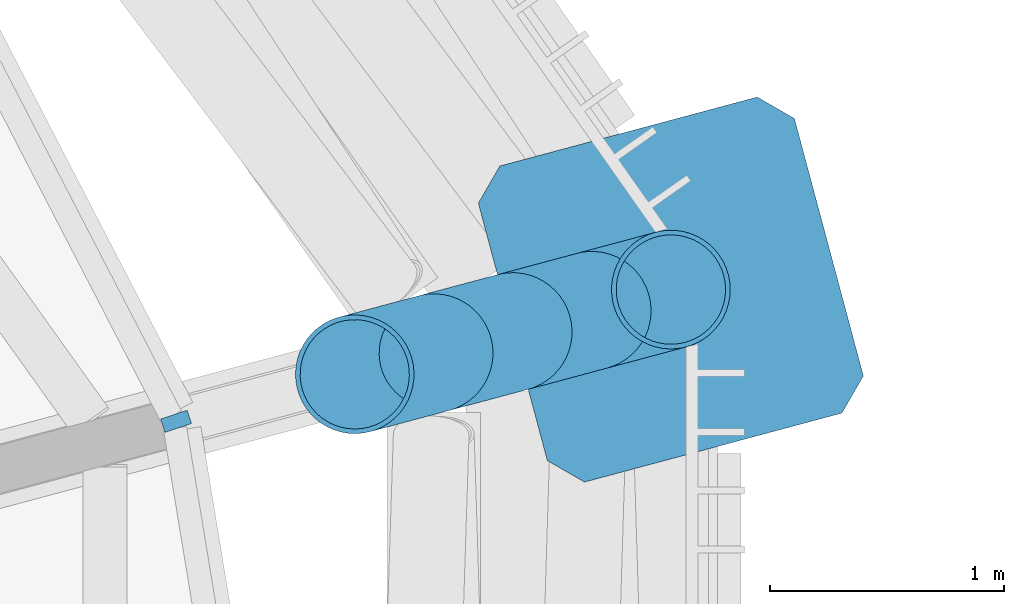
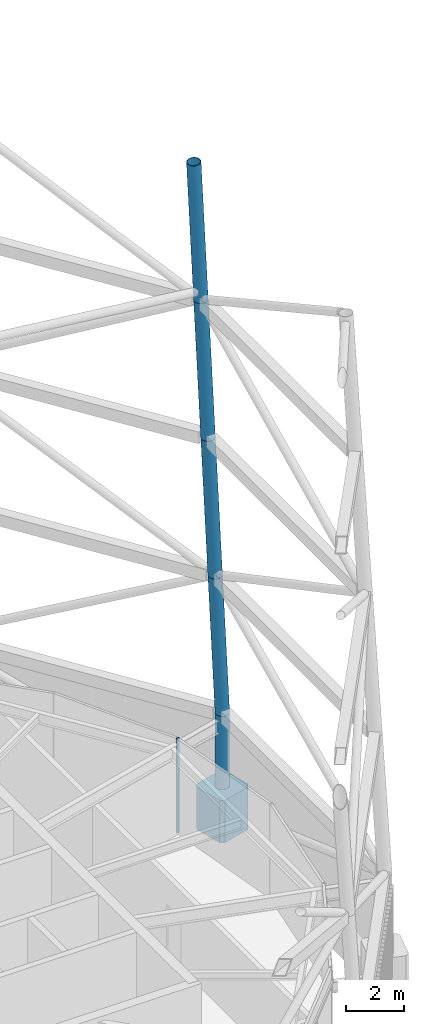
# One storey, part 26 of 71: 7 members, 1 element without a shape of its own.
"""IFC4 building model written with IfcOpenShell, lengths in metres."""

from ifc_helpers import new_model, si_unit, direction, frame, origin, origin_2d, place, context, subcontext, project, spatial, polyline, rectangle, hollow_circle, outline, extrude, material, material_profile, profile_set, type_object, element, aggregate, save


model = new_model("IFC4")

# Units and contexts
model_context = context("Model", 3, precision=1e-05, world=origin(), true_north=direction((0.0, 1.0)))
body_context = subcontext(model_context, "Body", "Model", "MODEL_VIEW")
ifc_project = project(units=[si_unit("LENGTHUNIT", "METRE"), si_unit("AREAUNIT", "SQUARE_METRE"), si_unit("VOLUMEUNIT", "CUBIC_METRE"), si_unit("PLANEANGLEUNIT", "RADIAN"), si_unit("MASSUNIT", "GRAM", prefix="KILO")], contexts=[model_context])

# Site, building, storey
site_placement = place(None, origin())
site = spatial("IfcSite", under=ifc_project, at=site_placement, CompositionType="ELEMENT")
building_placement = place(site_placement, origin())
building = spatial("IfcBuilding", under=site, at=building_placement, Name="Rimbun Link Towers", CompositionType="ELEMENT")
storey_placement = place(building_placement, frame((0.0, 0.0, 267.60009765625)))
storey = spatial("IfcBuildingStorey", under=building, at=storey_placement, Name="L65", CompositionType="ELEMENT", Elevation=267.60009765625)

# Curtain wall, member
ifc_material_1 = material(Name="Aluminium 6063-T6 louvre wall", Category="aluminium")
curtain_wall_type = type_object("IfcCurtainWallType", Name="CW6 plant floor louvre wall", PredefinedType="NOTDEFINED", material=ifc_material_1)
curtain_wall_placement = place(storey_placement, origin())
curtain_wall = element("IfcCurtainWall", 1, at=curtain_wall_placement, inside=storey, type_object=curtain_wall_type, Name="CW6 L65 T1", PredefinedType="NOTDEFINED")
ifc_material_2 = material(Name="Aluminium 6063-T6", Category="aluminium")
ifc_material_profile_1 = material_profile(ifc_material_2, rectangle(XDim=0.1201171875, YDim=0.06005859375, at=origin_2d()), Name="MULLION 60X120")
ifc_profile_set_1 = profile_set([ifc_material_profile_1], Name="Aluminium 6063-T6")
member_type_1 = type_object("IfcMemberType", Name="CW6 mullion 60X120", PredefinedType="MULLION", material=ifc_profile_set_1)
member_1_placement = place(storey_placement, frame((-12.83935546875, 5.07080078125, 0.0), z_axis=(0.0, 0.0, 1.0), x_axis=(0.949160819046, 0.31479158119, 0.0)))
member_1 = element("IfcMember", 2, at=member_1_placement, type_object=member_type_1, Name="CW6 mullion", PredefinedType="MULLION", context=body_context, shape_type="SweptSolid", body=[
    extrude(rectangle(XDim=0.1201171875, YDim=0.06005859375, at=origin_2d()), origin(), (0.0, 0.0, 1.0), 4.0),
])
aggregate(curtain_wall, [member_1])

# Members
ifc_material_3 = material(Name="Steel S355J2H", Category="steel")
ifc_material_profile_2 = material_profile(ifc_material_3, hollow_circle(Radius=0.25390625, WallThickness=0.02001953125, at=origin_2d()), Name="Crown frame post CHS 508x20")
ifc_profile_set_2 = profile_set([ifc_material_profile_2], Name="Steel S355J2H")
member_type_2 = type_object("IfcMemberType", Name="Crown frame post CHS 508x20", PredefinedType="POST", material=ifc_profile_set_2)
member_2_placement = place(storey_placement, frame((-10.722900390625, 5.63427734375, 0.0), z_axis=(0.0, 0.0, 1.0), x_axis=(1.0, 0.0, 0.0)))
element("IfcMember", 3, at=member_2_placement, inside=storey, type_object=member_type_2, Name="CROWN FRAME post T1 1-00", PredefinedType="POST", context=body_context, shape_type="SweptSolid", body=[
    extrude(hollow_circle(Radius=0.25390625, WallThickness=0.02001953125, at=origin_2d()), origin(), (0.0, 0.0, 1.0), 4.0),
])
for number, where, z_axis, x_axis, name in (
    (4, (-10.722900390625, 5.63427734375, 4.0), (-0.056260124661, -0.015070401624, 0.998302399761), (0.258747705633, -0.965944938819, 0.0), "CROWN FRAME post T1 2-00"),
    (5, (-11.06103515625, 5.543701171875, 10.0), (-0.056260090174, -0.01511101339, 0.998301787802), (0.259398269136, -0.96577043751, 0.0), "CROWN FRAME post T1 3-00"),
    (6, (-11.399169921875, 5.452880859375, 16.0), (-0.056260124661, -0.015070401624, 0.998302399761), (0.258747705633, -0.965944938819, 0.0), "CROWN FRAME post T1 4-00"),
    (7, (-11.7373046875, 5.3623046875, 22.0), (-0.056219632067, -0.015070436053, 0.998304680409), (0.258922132605, -0.96589819818, 0.0), "CROWN FRAME post T1 5-00"),
):
    element("IfcMember", number, at=place(storey_placement, frame(where, z_axis=z_axis, x_axis=x_axis)), inside=storey, type_object=member_type_2, Name=name, PredefinedType="POST", context=body_context, shape_type="SweptSolid", body=[
        extrude(hollow_circle(Radius=0.25390625, WallThickness=0.02001953125, at=origin_2d()), origin(), (0.0, 0.0, 1.0), 6.01025390625),
    ])
ifc_material_4 = material(Name="Cast steel G20Mn5+QT, Rp0.2 300 MPa", Category="steel")
ifc_material_profile_3 = material_profile(ifc_material_4, outline(polyline([(0.699951171875, -0.570068359375), (0.699951171875, 0.570068359375), (0.570068359375, 0.699951171875), (-0.570068359375, 0.699951171875), (-0.699951171875, 0.570068359375), (-0.699951171875, -0.570068359375), (-0.570068359375, -0.699951171875), (0.570068359375, -0.699951171875), (0.699951171875, -0.570068359375)])), Name="NODE 1400x1400")
ifc_profile_set_3 = profile_set([ifc_material_profile_3], Name="Cast steel G20Mn5+QT, Rp0.2 300 MPa")
member_type_3 = type_object("IfcMemberType", Name="Diagrid node cast 1400", PredefinedType="USERDEFINED", material=ifc_profile_set_3)
member_3_placement = place(storey_placement, frame((-10.722900390625, 5.63427734375, -0.900146484375), z_axis=(0.0, 0.0, 1.0), x_axis=(0.965925826289, 0.258819045103, 0.0)))
element("IfcMember", 8, at=member_3_placement, inside=storey, type_object=member_type_3, Name="Diagrid node L65 01", ObjectType="Diagrid node", PredefinedType="USERDEFINED", context=body_context, shape_type="SweptSolid", body=[
    extrude(outline(polyline([(0.699951171875, -0.570068359375), (0.699951171875, 0.570068359375), (0.570068359375, 0.699951171875), (-0.570068359375, 0.699951171875), (-0.699951171875, 0.570068359375), (-0.699951171875, -0.570068359375), (-0.570068359375, -0.699951171875), (0.570068359375, -0.699951171875), (0.699951171875, -0.570068359375)])), origin(), (0.0, 0.0, 1.0), 1.800048828125),
])

save(model, "model.ifc")
